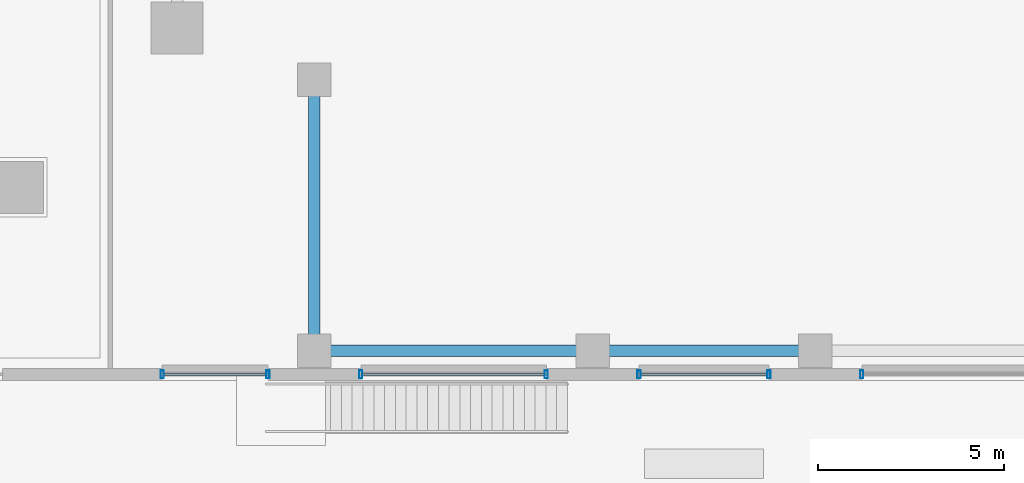
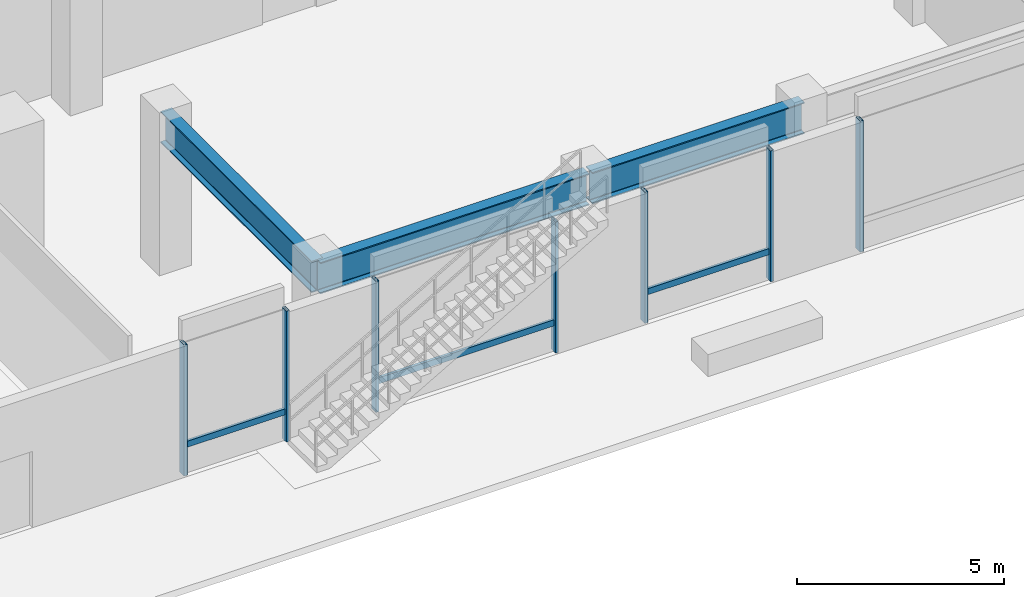
# One storey, part 2 of 24: 10 members, 3 beams, 4 elements without a shape of their own.
"""IFC4 building model written with IfcOpenShell, lengths in metres."""

from ifc_helpers import new_model, si_unit, direction, frame, origin, origin_2d, place, context, subcontext, project, spatial, hollow_rectangle, i_section, extrude, material, material_profile, profile_set, type_object, element, aggregate, save


model = new_model("IFC4")

# Units and contexts
model_context = context("Model", 3, precision=1e-05, world=origin(), true_north=direction((0.0, 1.0)))
body_context = subcontext(model_context, "Body", "Model", "MODEL_VIEW")
ifc_project = project(units=[si_unit("LENGTHUNIT", "METRE"), si_unit("AREAUNIT", "SQUARE_METRE"), si_unit("VOLUMEUNIT", "CUBIC_METRE"), si_unit("PLANEANGLEUNIT", "RADIAN"), si_unit("MASSUNIT", "GRAM", prefix="KILO")], contexts=[model_context])

# Site, building, storey
site_placement = place(None, origin())
site = spatial("IfcSite", under=ifc_project, at=site_placement, CompositionType="ELEMENT")
building_placement = place(site_placement, origin())
building = spatial("IfcBuilding", under=site, at=building_placement, Name="Thornwick Lancets Civic Towers", CompositionType="ELEMENT")
storey_placement = place(building_placement, origin())
storey = spatial("IfcBuildingStorey", under=building, at=storey_placement, Name="L00", CompositionType="ELEMENT", Elevation=0.0)

# Beams
ifc_material_1 = material(Name="Steel S355JR", Category="steel")
ifc_material_profile_1 = material_profile(ifc_material_1, i_section(OverallWidth=0.3076171875, OverallDepth=0.926513671875, WebThickness=0.01953125, FlangeThickness=0.031982421875, FilletRadius=0.01904296875, at=origin_2d()), Name="UKB 914x305x289")
ifc_profile_set_1 = profile_set([ifc_material_profile_1], Name="Steel S355JR")
beam_type = type_object("IfcBeamType", Name="BM_POD_914_289", PredefinedType="BEAM", material=ifc_profile_set_1)
beam_1_placement = place(storey_placement, frame((46.5, 5.300048828125, 4.0166015625), z_axis=(1.0, 0.0, 0.0), x_axis=(0.0, 1.0, 0.0)))
element("IfcBeam", 1, at=beam_1_placement, inside=storey, type_object=beam_type, Name="BM-PODG-L00-1-2", PredefinedType="BEAM", context=body_context, shape_type="SweptSolid", body=[
    extrude(i_section(OverallWidth=0.3076171875, OverallDepth=0.926513671875, WebThickness=0.01953125, FlangeThickness=0.031982421875, FilletRadius=0.01904296875, at=origin_2d()), origin(), (0.0, 0.0, 1.0), 7.5),
])
beam_2_placement = place(storey_placement, frame((46.5, 5.300048828125, 4.0166015625), z_axis=(0.0, 1.0, 0.0), x_axis=(-1.0, 0.0, 0.0)))
element("IfcBeam", 2, at=beam_2_placement, inside=storey, type_object=beam_type, Name="BM-PODG-L00-1-7", PredefinedType="BEAM", context=body_context, shape_type="SweptSolid", body=[
    extrude(i_section(OverallWidth=0.3076171875, OverallDepth=0.926513671875, WebThickness=0.01953125, FlangeThickness=0.031982421875, FilletRadius=0.01904296875, at=origin_2d()), origin(), (0.0, 0.0, 1.0), 7.300048828125),
])
beam_3_placement = place(storey_placement, frame((54.080078125, 5.300048828125, 4.0166015625), z_axis=(1.0, 0.0, 0.0), x_axis=(0.0, 1.0, 0.0)))
element("IfcBeam", 3, at=beam_3_placement, inside=storey, type_object=beam_type, Name="BM-PODG-L00-2-3", PredefinedType="BEAM", context=body_context, shape_type="SweptSolid", body=[
    extrude(i_section(OverallWidth=0.3076171875, OverallDepth=0.926513671875, WebThickness=0.01953125, FlangeThickness=0.031982421875, FilletRadius=0.01904296875, at=origin_2d()), origin(), (0.0, 0.0, 1.0), 5.919921875),
])

# Curtain wall, members
ifc_material_2 = material(Name="Bronze aluminium Gothic lancet podium curtain wall", Category="aluminium")
curtain_wall_type = type_object("IfcCurtainWallType", Name="CW_SYS_01", PredefinedType="NOTDEFINED", material=ifc_material_2)
curtain_wall_1_placement = place(storey_placement, origin())
curtain_wall_1 = element("IfcCurtainWall", 4, at=curtain_wall_1_placement, inside=storey, type_object=curtain_wall_type, Name="L00 Curtain Wall CW-L00-POD-SC-S1", PredefinedType="NOTDEFINED")
ifc_material_3 = material(Name="Thermally broken bronze aluminium S355", Category="steel")
ifc_material_profile_2 = material_profile(ifc_material_3, hollow_rectangle(XDim=0.090087890625, YDim=0.219970703125, WallThickness=0.00634765625, at=origin_2d()), Name="RHS 220x90x6.3")
ifc_profile_set_2 = profile_set([ifc_material_profile_2], Name="Thermally broken bronze aluminium S355")
member_type_1 = type_object("IfcMemberType", Name="CW_MUL_220", PredefinedType="MULLION", material=ifc_profile_set_2)
member_1_placement = place(storey_placement, frame((42.39990234375, 4.659912109375, 0.0), z_axis=(0.0, 0.0, 1.0), x_axis=(1.0, 0.0, 0.0)))
member_1 = element("IfcMember", 5, at=member_1_placement, type_object=member_type_1, Name="CW-L00-POD-SC-S1 Mullion 0", PredefinedType="MULLION", context=body_context, shape_type="SweptSolid", body=[
    extrude(hollow_rectangle(XDim=0.090087890625, YDim=0.219970703125, WallThickness=0.00634765625, at=origin_2d()), origin(), (0.0, 0.0, 1.0), 3.860107421875),
])
member_2_placement = place(storey_placement, frame((45.25, 4.659912109375, 0.0), z_axis=(0.0, 0.0, 1.0), x_axis=(1.0, 0.0, 0.0)))
member_2 = element("IfcMember", 6, at=member_2_placement, type_object=member_type_1, Name="CW-L00-POD-SC-S1 Mullion 1", PredefinedType="MULLION", context=body_context, shape_type="SweptSolid", body=[
    extrude(hollow_rectangle(XDim=0.090087890625, YDim=0.219970703125, WallThickness=0.00634765625, at=origin_2d()), origin(), (0.0, 0.0, 1.0), 3.860107421875),
])

curtain_wall_2_placement = place(storey_placement, origin())
curtain_wall_2 = element("IfcCurtainWall", 7, at=curtain_wall_2_placement, inside=storey, type_object=curtain_wall_type, Name="L00 Curtain Wall CW-L00-POD-SC-S2", PredefinedType="NOTDEFINED")
member_3_placement = place(storey_placement, frame((47.75, 4.659912109375, 0.0), z_axis=(0.0, 0.0, 1.0), x_axis=(1.0, 0.0, 0.0)))
member_3 = element("IfcMember", 8, at=member_3_placement, type_object=member_type_1, Name="CW-L00-POD-SC-S2 Mullion 0", PredefinedType="MULLION", context=body_context, shape_type="SweptSolid", body=[
    extrude(hollow_rectangle(XDim=0.090087890625, YDim=0.219970703125, WallThickness=0.00634765625, at=origin_2d()), origin(), (0.0, 0.0, 1.0), 3.860107421875),
])
member_4_placement = place(storey_placement, frame((52.75, 4.659912109375, 0.0), z_axis=(0.0, 0.0, 1.0), x_axis=(1.0, 0.0, 0.0)))
member_4 = element("IfcMember", 9, at=member_4_placement, type_object=member_type_1, Name="CW-L00-POD-SC-S2 Mullion 1", PredefinedType="MULLION", context=body_context, shape_type="SweptSolid", body=[
    extrude(hollow_rectangle(XDim=0.090087890625, YDim=0.219970703125, WallThickness=0.00634765625, at=origin_2d()), origin(), (0.0, 0.0, 1.0), 3.860107421875),
])

curtain_wall_3_placement = place(storey_placement, origin())
curtain_wall_3 = element("IfcCurtainWall", 10, at=curtain_wall_3_placement, inside=storey, type_object=curtain_wall_type, Name="L00 Curtain Wall CW-L00-POD-SC-S3", PredefinedType="NOTDEFINED")
member_5_placement = place(storey_placement, frame((55.25, 4.659912109375, 0.0), z_axis=(0.0, 0.0, 1.0), x_axis=(1.0, 0.0, 0.0)))
member_5 = element("IfcMember", 11, at=member_5_placement, type_object=member_type_1, Name="CW-L00-POD-SC-S3 Mullion 0", PredefinedType="MULLION", context=body_context, shape_type="SweptSolid", body=[
    extrude(hollow_rectangle(XDim=0.090087890625, YDim=0.219970703125, WallThickness=0.00634765625, at=origin_2d()), origin(), (0.0, 0.0, 1.0), 3.860107421875),
])
member_6_placement = place(storey_placement, frame((58.75, 4.659912109375, 0.0), z_axis=(0.0, 0.0, 1.0), x_axis=(1.0, 0.0, 0.0)))
member_6 = element("IfcMember", 12, at=member_6_placement, type_object=member_type_1, Name="CW-L00-POD-SC-S3 Mullion 1", PredefinedType="MULLION", context=body_context, shape_type="SweptSolid", body=[
    extrude(hollow_rectangle(XDim=0.090087890625, YDim=0.219970703125, WallThickness=0.00634765625, at=origin_2d()), origin(), (0.0, 0.0, 1.0), 3.860107421875),
])

# Curtain wall, member
curtain_wall_4_placement = place(storey_placement, origin())
curtain_wall_4 = element("IfcCurtainWall", 13, at=curtain_wall_4_placement, inside=storey, type_object=curtain_wall_type, Name="L00 Curtain Wall CW-L00-POD-SC-S4", PredefinedType="NOTDEFINED")
member_7_placement = place(storey_placement, frame((61.25, 4.659912109375, 0.0), z_axis=(0.0, 0.0, 1.0), x_axis=(1.0, 0.0, 0.0)))
member_7 = element("IfcMember", 14, at=member_7_placement, type_object=member_type_1, Name="CW-L00-POD-SC-S4 Mullion 0", PredefinedType="MULLION", context=body_context, shape_type="SweptSolid", body=[
    extrude(hollow_rectangle(XDim=0.090087890625, YDim=0.219970703125, WallThickness=0.00634765625, at=origin_2d()), origin(), (0.0, 0.0, 1.0), 3.860107421875),
])
aggregate(curtain_wall_4, [member_7])

# Member
ifc_material_profile_3 = material_profile(ifc_material_3, hollow_rectangle(XDim=0.074951171875, YDim=0.179931640625, WallThickness=0.006103515625, at=origin_2d()), Name="RHS 180x75x6")
ifc_profile_set_3 = profile_set([ifc_material_profile_3], Name="Thermally broken bronze aluminium S355")
member_type_2 = type_object("IfcMemberType", Name="CW_TRN_180", PredefinedType="USERDEFINED", material=ifc_profile_set_3)
member_8_placement = place(storey_placement, frame((42.419921875, 4.659912109375, 0.85009765625), z_axis=(1.0, 0.0, 0.0), x_axis=(0.0, 1.0, 0.0)))
member_8 = element("IfcMember", 15, at=member_8_placement, type_object=member_type_2, Name="CW-L00-POD-SC-S1 Transom 0", ObjectType="TRANSOM", PredefinedType="USERDEFINED", context=body_context, shape_type="SweptSolid", body=[
    extrude(hollow_rectangle(XDim=0.074951171875, YDim=0.179931640625, WallThickness=0.006103515625, at=origin_2d()), origin(), (0.0, 0.0, 1.0), 2.81005859375),
])

aggregate(curtain_wall_1, [member_1, member_2, member_8])

member_9_placement = place(storey_placement, frame((47.77001953125, 4.659912109375, 0.85009765625), z_axis=(1.0, 0.0, 0.0), x_axis=(0.0, 1.0, 0.0)))
member_9 = element("IfcMember", 16, at=member_9_placement, type_object=member_type_2, Name="CW-L00-POD-SC-S2 Transom 0", ObjectType="TRANSOM", PredefinedType="USERDEFINED", context=body_context, shape_type="SweptSolid", body=[
    extrude(hollow_rectangle(XDim=0.074951171875, YDim=0.179931640625, WallThickness=0.006103515625, at=origin_2d()), origin(), (0.0, 0.0, 1.0), 4.9599609375),
])

aggregate(curtain_wall_2, [member_3, member_4, member_9])

member_10_placement = place(storey_placement, frame((55.27001953125, 4.659912109375, 0.85009765625), z_axis=(1.0, 0.0, 0.0), x_axis=(0.0, 1.0, 0.0)))
member_10 = element("IfcMember", 17, at=member_10_placement, type_object=member_type_2, Name="CW-L00-POD-SC-S3 Transom 0", ObjectType="TRANSOM", PredefinedType="USERDEFINED", context=body_context, shape_type="SweptSolid", body=[
    extrude(hollow_rectangle(XDim=0.074951171875, YDim=0.179931640625, WallThickness=0.006103515625, at=origin_2d()), origin(), (0.0, 0.0, 1.0), 3.4599609375),
])

aggregate(curtain_wall_3, [member_5, member_6, member_10])

save(model, "model.ifc")
